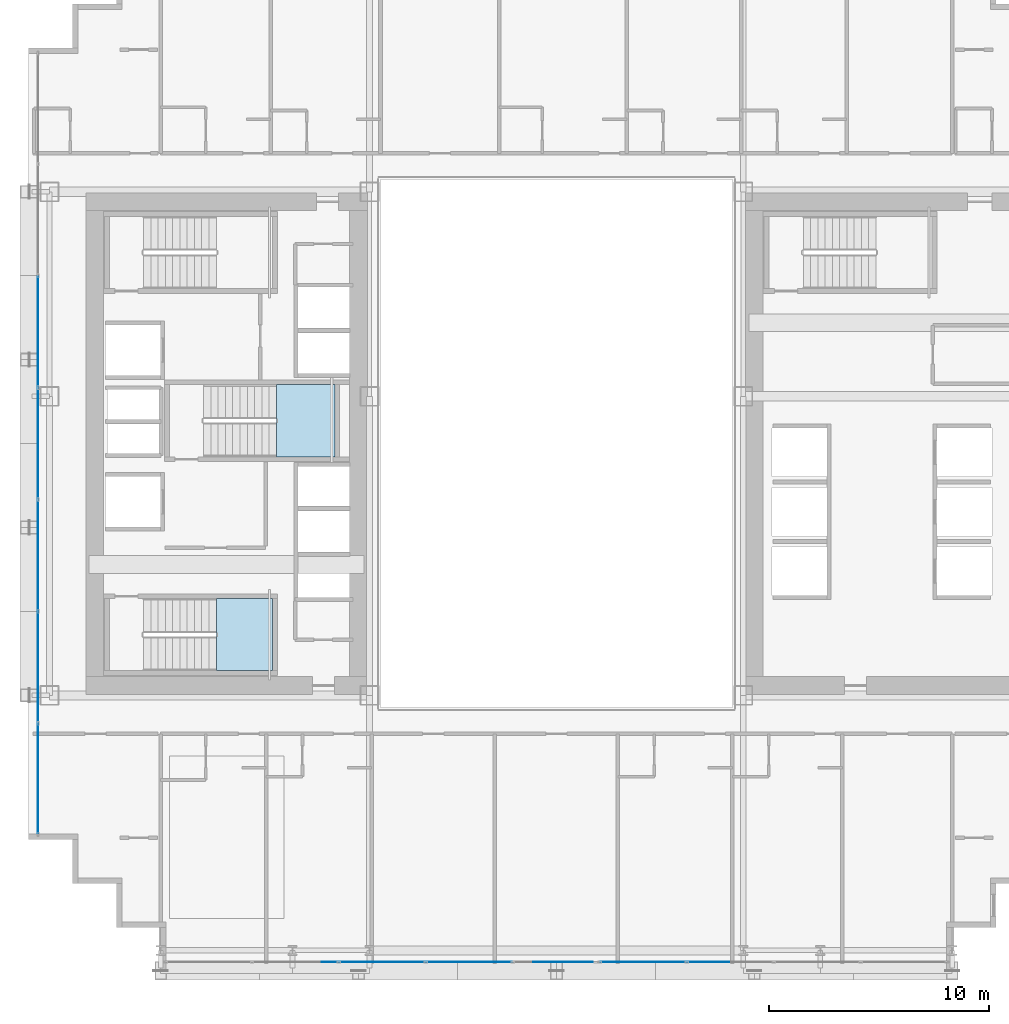
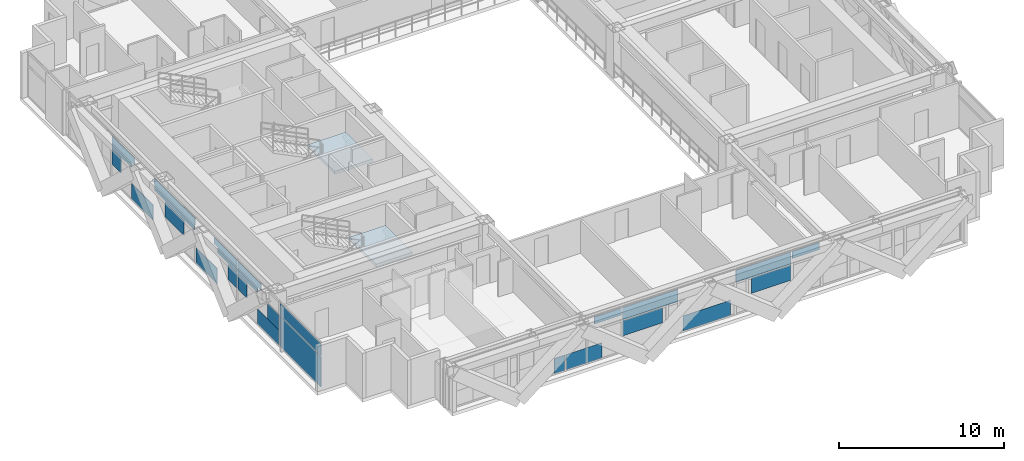
# One storey, part 24 of 38: 27 plates, 2 slabs, 4 elements without a shape of their own.
"""IFC4 building model written with IfcOpenShell, lengths in metres."""

from ifc_helpers import new_model, si_unit, direction, frame, origin, origin_2d, place, context, subcontext, project, spatial, polyline, rectangle, outline, extrude, source, transform, mapped, material, layer, layer_set, type_object, element, aggregate, save


model = new_model("IFC4")

# Units and contexts
model_context = context("Model", 3, precision=1e-05, world=origin(), true_north=direction((0.0, 1.0)))
body_context = subcontext(model_context, "Body", "Model", "MODEL_VIEW")
ifc_project = project(units=[si_unit("LENGTHUNIT", "METRE"), si_unit("AREAUNIT", "SQUARE_METRE"), si_unit("VOLUMEUNIT", "CUBIC_METRE"), si_unit("PLANEANGLEUNIT", "RADIAN"), si_unit("MASSUNIT", "GRAM", prefix="KILO")], contexts=[model_context])

# Site, building, storey
site_placement = place(None, origin())
site = spatial("IfcSite", under=ifc_project, at=site_placement, CompositionType="ELEMENT")
building_placement = place(site_placement, origin())
building = spatial("IfcBuilding", under=site, at=building_placement, Name="Ocotamira Hotel", CompositionType="ELEMENT")
storey_placement = place(building_placement, frame((0.0, 0.0, 74.39990234375)))
storey = spatial("IfcBuildingStorey", under=building, at=storey_placement, Name="L18", CompositionType="ELEMENT", Elevation=74.39990234375)

# Stair, slab
ifc_material_1 = material(Name="Concrete C40/50", Category="concrete")
stair_type = type_object("IfcStairType", Name="ST-CORE-1560", PredefinedType="HALF_TURN_STAIR", material=ifc_material_1)
stair_1_placement = place(storey_placement, origin())
stair_1 = element("IfcStair", 1, at=stair_1_placement, inside=storey, type_object=stair_type, Name="L18 Exit Stair ST-1", PredefinedType="HALF_TURN_STAIR")
ifc_layer_1 = layer(ifc_material_1, 0.199951171875)
ifc_layer_set_1 = layer_set([ifc_layer_1], Name="Concrete C40/50")
slab_type = type_object("IfcSlabType", Name="SLB-LAND-200", PredefinedType="LANDING", material=ifc_layer_set_1)
slab_1_placement = place(storey_placement, frame((0.0, 0.0, 1.60009765625)))
slab_1 = element("IfcSlab", 2, at=slab_1_placement, type_object=slab_type, Name="ST-1 landing 1", PredefinedType="LANDING", context=body_context, shape_type="SweptSolid", body=[
    extrude(outline(polyline([(16.530029296875, 15.669921875), (19.090087890625, 15.669921875), (19.090087890625, 18.949951171875), (16.530029296875, 18.949951171875), (16.530029296875, 15.669921875)])), origin(), (0.0, 0.0, 1.0), 0.199951171875),
])
aggregate(stair_1, [slab_1])

stair_2_placement = place(storey_placement, origin())
stair_2 = element("IfcStair", 3, at=stair_2_placement, inside=storey, type_object=stair_type, Name="L18 Exit Stair ST-3", PredefinedType="HALF_TURN_STAIR")
slab_2_placement = place(storey_placement, frame((0.0, 0.0, 1.60009765625)))
slab_2 = element("IfcSlab", 4, at=slab_2_placement, type_object=slab_type, Name="ST-3 landing 1", PredefinedType="LANDING", context=body_context, shape_type="SweptSolid", body=[
    extrude(outline(polyline([(19.260009765625, 25.39990234375), (21.919921875, 25.39990234375), (21.919921875, 28.679931640625), (19.260009765625, 28.679931640625), (19.260009765625, 25.39990234375)])), origin(), (0.0, 0.0, 1.0), 0.199951171875),
])
aggregate(stair_2, [slab_2])

# Curtain wall, plates
ifc_material_2 = material(Name="Anodised pale-metal aluminium and solar glass", Category="aluminium")
ifc_layer_2 = layer(ifc_material_2, 0.179931640625)
ifc_layer_set_2 = layer_set([ifc_layer_2], Name="Anodised pale-metal aluminium and solar glass")
curtain_wall_type = type_object("IfcCurtainWallType", Name="CW-SYS2-Z1", PredefinedType="NOTDEFINED", material=ifc_layer_set_2)
curtain_wall_1_placement = place(storey_placement, origin())
curtain_wall_1 = element("IfcCurtainWall", 5, at=curtain_wall_1_placement, inside=storey, type_object=curtain_wall_type, Name="L18 Curtain Wall CW-2 CW-L18-S1", PredefinedType="NOTDEFINED")
ifc_material_3 = material(Name="Double-silver low-E insulated solar glass", Category="glass")
ifc_layer_3 = layer(ifc_material_3, 0.031982421875)
ifc_layer_set_3 = layer_set([ifc_layer_3], Name="Double-silver low-E insulated solar glass")
plate_type = type_object("IfcPlateType", Name="CWP-VISION-32", PredefinedType="CURTAIN_PANEL", material=ifc_layer_set_3)
shared_shape_1 = source(origin(), body_context, "Body", "SweptSolid", [
    extrude(rectangle(XDim=3.87548828125, YDim=0.031982421875, at=origin_2d()), origin(), (0.0, 0.0, 1.0), 0.887451171875),
])
plate_1_placement = place(storey_placement, frame((28.04443359375, 2.419921875, 2.3876953125), z_axis=(0.0, 0.0, 1.0), x_axis=(1.0, 0.0, 0.0)))
plate_1 = element("IfcPlate", 6, at=plate_1_placement, type_object=plate_type, Name="CW-2 panel 4.2", PredefinedType="CURTAIN_PANEL", context=body_context, shape_type="MappedRepresentation", body=[
    mapped(shared_shape_1, transform((0.0, 0.0, 0.0), scale=1.0)),
])
plate_2_placement = place(storey_placement, frame((35.95556640625, 2.419921875, 2.3876953125), z_axis=(0.0, 0.0, 1.0), x_axis=(1.0, 0.0, 0.0)))
plate_2 = element("IfcPlate", 7, at=plate_2_placement, type_object=plate_type, Name="CW-2 panel 6.2", PredefinedType="CURTAIN_PANEL", context=body_context, shape_type="MappedRepresentation", body=[
    mapped(shared_shape_1, transform((0.0, 0.0, 0.0), scale=1.0)),
])

curtain_wall_2_placement = place(storey_placement, origin())
curtain_wall_2 = element("IfcCurtainWall", 8, at=curtain_wall_2_placement, inside=storey, type_object=curtain_wall_type, Name="L18 Curtain Wall CW-2 CW-L18-W", PredefinedType="NOTDEFINED")
shared_shape_2 = source(origin(), body_context, "Body", "SweptSolid", [
    extrude(rectangle(XDim=4.9658203125, YDim=0.031982421875, at=origin_2d()), origin(), (0.0, 0.0, 1.0), 2.237548828125),
])
plate_3_placement = place(storey_placement, frame((8.419921875, 10.762939453125, 0.0751953125), z_axis=(0.0, 0.0, 1.0), x_axis=(0.0, 1.0, 0.0)))
plate_3 = element("IfcPlate", 9, at=plate_3_placement, type_object=plate_type, Name="CW-2 panel 1.1", PredefinedType="CURTAIN_PANEL", context=body_context, shape_type="MappedRepresentation", body=[
    mapped(shared_shape_2, transform((0.0, 0.0, 0.0), scale=1.0)),
])
shared_shape_3 = source(origin(), body_context, "Body", "SweptSolid", [
    extrude(rectangle(XDim=4.9658203125, YDim=0.031982421875, at=origin_2d()), origin(), (0.0, 0.0, 1.0), 0.887451171875),
])
plate_4_placement = place(storey_placement, frame((8.419921875, 10.762939453125, 2.3876953125), z_axis=(0.0, 0.0, 1.0), x_axis=(0.0, 1.0, 0.0)))
plate_4 = element("IfcPlate", 10, at=plate_4_placement, type_object=plate_type, Name="CW-2 panel 1.2", PredefinedType="CURTAIN_PANEL", context=body_context, shape_type="MappedRepresentation", body=[
    mapped(shared_shape_3, transform((0.0, 0.0, 0.0), scale=1.0)),
])

# Plate
shared_shape_4 = source(origin(), body_context, "Body", "SweptSolid", [
    extrude(rectangle(XDim=1.88671875, YDim=0.031982421875, at=origin_2d()), origin(), (0.0, 0.0, 1.0), 0.5107421875),
])
plate_5_placement = place(storey_placement, frame((25.08349609375, 2.419921875, 2.764404296875), z_axis=(0.0, 0.0, 1.0), x_axis=(1.0, 0.0, 0.0)))
plate_5 = element("IfcPlate", 11, at=plate_5_placement, type_object=plate_type, Name="CW-2 panel 3.2.1", PredefinedType="CURTAIN_PANEL", context=body_context, shape_type="MappedRepresentation", body=[
    mapped(shared_shape_4, transform((0.0, 0.0, 0.0), scale=1.0)),
])

plate_6_placement = place(storey_placement, frame((38.91650390625, 2.419921875, 2.764404296875), z_axis=(0.0, 0.0, 1.0), x_axis=(1.0, 0.0, 0.0)))
plate_6 = element("IfcPlate", 12, at=plate_6_placement, type_object=plate_type, Name="CW-2 panel 7.2.1", PredefinedType="CURTAIN_PANEL", context=body_context, shape_type="MappedRepresentation", body=[
    mapped(shared_shape_4, transform((0.0, 0.0, 0.0), scale=1.0)),
])

shared_shape_5 = source(origin(), body_context, "Body", "SweptSolid", [
    extrude(rectangle(XDim=2.796630859375, YDim=0.031982421875, at=origin_2d()), origin(), (0.0, 0.0, 1.0), 0.485107421875),
])
plate_7_placement = place(storey_placement, frame((8.419921875, 16.93310546875, 2.7900390625), z_axis=(0.0, 0.0, 1.0), x_axis=(0.0, 1.0, 0.0)))
plate_7 = element("IfcPlate", 13, at=plate_7_placement, type_object=plate_type, Name="CW-2 panel 2.2.1", PredefinedType="CURTAIN_PANEL", context=body_context, shape_type="MappedRepresentation", body=[
    mapped(shared_shape_5, transform((0.0, 0.0, 0.0), scale=1.0)),
])

shared_shape_6 = source(origin(), body_context, "Body", "SweptSolid", [
    extrude(rectangle(XDim=2.3701171875, YDim=0.031982421875, at=origin_2d()), origin(), (0.0, 0.0, 1.0), 0.367919921875),
])
plate_8_placement = place(storey_placement, frame((8.419921875, 17.146240234375, 2.3876953125), z_axis=(0.0, 0.0, 1.0), x_axis=(0.0, 1.0, 0.0)))
plate_8 = element("IfcPlate", 14, at=plate_8_placement, type_object=plate_type, Name="CW-2 panel 2.2.2", PredefinedType="CURTAIN_PANEL", context=body_context, shape_type="MappedRepresentation", body=[
    mapped(shared_shape_6, transform((0.0, 0.0, 0.0), scale=1.0)),
])

shared_shape_7 = source(origin(), body_context, "Body", "SweptSolid", [
    extrude(rectangle(XDim=2.360595703125, YDim=0.031982421875, at=origin_2d()), origin(), (0.0, 0.0, 1.0), 0.367919921875),
])
plate_9_placement = place(storey_placement, frame((8.419921875, 19.591796875, 2.3876953125), z_axis=(0.0, 0.0, 1.0), x_axis=(0.0, 1.0, 0.0)))
plate_9 = element("IfcPlate", 15, at=plate_9_placement, type_object=plate_type, Name="CW-2 panel 3.2.1", PredefinedType="CURTAIN_PANEL", context=body_context, shape_type="MappedRepresentation", body=[
    mapped(shared_shape_7, transform((0.0, 0.0, 0.0), scale=1.0)),
])

plate_10_placement = place(storey_placement, frame((8.419921875, 32.408203125, 2.3876953125), z_axis=(0.0, 0.0, 1.0), x_axis=(0.0, 1.0, 0.0)))
plate_10 = element("IfcPlate", 16, at=plate_10_placement, type_object=plate_type, Name="CW-2 panel 5.2.2", PredefinedType="CURTAIN_PANEL", context=body_context, shape_type="MappedRepresentation", body=[
    mapped(shared_shape_7, transform((0.0, 0.0, 0.0), scale=1.0)),
])

shared_shape_8 = source(origin(), body_context, "Body", "SweptSolid", [
    extrude(rectangle(XDim=2.787109375, YDim=0.031982421875, at=origin_2d()), origin(), (0.0, 0.0, 1.0), 0.485107421875),
])
plate_11_placement = place(storey_placement, frame((8.419921875, 19.804931640625, 2.7900390625), z_axis=(0.0, 0.0, 1.0), x_axis=(0.0, 1.0, 0.0)))
plate_11 = element("IfcPlate", 17, at=plate_11_placement, type_object=plate_type, Name="CW-2 panel 3.2.2", PredefinedType="CURTAIN_PANEL", context=body_context, shape_type="MappedRepresentation", body=[
    mapped(shared_shape_8, transform((0.0, 0.0, 0.0), scale=1.0)),
])

plate_12_placement = place(storey_placement, frame((8.419921875, 32.195068359375, 2.7900390625), z_axis=(0.0, 0.0, 1.0), x_axis=(0.0, 1.0, 0.0)))
plate_12 = element("IfcPlate", 18, at=plate_12_placement, type_object=plate_type, Name="CW-2 panel 5.2.1", PredefinedType="CURTAIN_PANEL", context=body_context, shape_type="MappedRepresentation", body=[
    mapped(shared_shape_8, transform((0.0, 0.0, 0.0), scale=1.0)),
])

shared_shape_9 = source(origin(), body_context, "Body", "SweptSolid", [
    extrude(rectangle(XDim=5.005615234375, YDim=0.031982421875, at=origin_2d()), origin(), (0.0, 0.0, 1.0), 0.485107421875),
])
plate_13_placement = place(storey_placement, frame((8.419921875, 26.0, 2.7900390625), z_axis=(0.0, 0.0, 1.0), x_axis=(0.0, 1.0, 0.0)))
plate_13 = element("IfcPlate", 19, at=plate_13_placement, type_object=plate_type, Name="CW-2 panel 4.2.1", PredefinedType="CURTAIN_PANEL", context=body_context, shape_type="MappedRepresentation", body=[
    mapped(shared_shape_9, transform((0.0, 0.0, 0.0), scale=1.0)),
])

shared_shape_10 = source(origin(), body_context, "Body", "SweptSolid", [
    extrude(rectangle(XDim=4.81103515625, YDim=0.031982421875, at=origin_2d()), origin(), (0.0, 0.0, 1.0), 0.40234375),
])
plate_14_placement = place(storey_placement, frame((8.419921875, 26.0, 2.387451171875), z_axis=(0.0, 0.0, 1.0), x_axis=(0.0, 1.0, 0.0)))
plate_14 = element("IfcPlate", 20, at=plate_14_placement, type_object=plate_type, Name="CW-2 panel 4.2.2", PredefinedType="CURTAIN_PANEL", context=body_context, shape_type="MappedRepresentation", body=[
    mapped(shared_shape_10, transform((0.0, 0.0, 0.0), scale=1.0)),
])

shared_shape_11 = source(origin(), body_context, "Body", "SweptSolid", [
    extrude(rectangle(XDim=0.733642578125, YDim=0.031982421875, at=origin_2d()), origin(), (0.0, 0.0, 1.0), 1.118896484375),
])
plate_15_placement = place(storey_placement, frame((21.704345703125, 2.419921875, 0.0751953125), z_axis=(0.0, 0.0, 1.0), x_axis=(1.0, 0.0, 0.0)))
plate_15 = element("IfcPlate", 21, at=plate_15_placement, type_object=plate_type, Name="CW-2 panel 2.1.2", PredefinedType="CURTAIN_PANEL", context=body_context, shape_type="MappedRepresentation", body=[
    mapped(shared_shape_11, transform((0.0, 0.0, 0.0), scale=1.0)),
])

shared_shape_12 = source(origin(), body_context, "Body", "SweptSolid", [
    extrude(rectangle(XDim=2.51123046875, YDim=0.031982421875, at=origin_2d()), origin(), (0.0, 0.0, 1.0), 1.118896484375),
])
plate_16_placement = place(storey_placement, frame((23.40673828125, 2.419921875, 0.0751953125), z_axis=(0.0, 0.0, 1.0), x_axis=(1.0, 0.0, 0.0)))
plate_16 = element("IfcPlate", 22, at=plate_16_placement, type_object=plate_type, Name="CW-2 panel 3.1.1", PredefinedType="CURTAIN_PANEL", context=body_context, shape_type="MappedRepresentation", body=[
    mapped(shared_shape_12, transform((0.0, 0.0, 0.0), scale=1.0)),
])

shared_shape_13 = source(origin(), body_context, "Body", "SweptSolid", [
    extrude(rectangle(XDim=3.324951171875, YDim=0.031982421875, at=origin_2d()), origin(), (0.0, 0.0, 1.0), 1.118896484375),
])
plate_17_placement = place(storey_placement, frame((32.0, 2.419921875, 0.0751953125), z_axis=(0.0, 0.0, 1.0), x_axis=(1.0, 0.0, 0.0)))
plate_17 = element("IfcPlate", 23, at=plate_17_placement, type_object=plate_type, Name="CW-2 panel 5.1.1", PredefinedType="CURTAIN_PANEL", context=body_context, shape_type="MappedRepresentation", body=[
    mapped(shared_shape_13, transform((0.0, 0.0, 0.0), scale=1.0)),
])

shared_shape_14 = source(origin(), body_context, "Body", "SweptSolid", [
    extrude(rectangle(XDim=2.58935546875, YDim=0.031982421875, at=origin_2d()), origin(), (0.0, 0.0, 1.0), 1.118896484375),
])
plate_18_placement = place(storey_placement, frame((8.419921875, 14.620361328125, 0.0751953125), z_axis=(0.0, 0.0, 1.0), x_axis=(0.0, 1.0, 0.0)))
plate_18 = element("IfcPlate", 24, at=plate_18_placement, type_object=plate_type, Name="CW-2 panel 2.1.1", PredefinedType="CURTAIN_PANEL", context=body_context, shape_type="MappedRepresentation", body=[
    mapped(shared_shape_14, transform((0.0, 0.0, 0.0), scale=1.0)),
])

shared_shape_15 = source(origin(), body_context, "Body", "SweptSolid", [
    extrude(rectangle(XDim=2.59912109375, YDim=0.031982421875, at=origin_2d()), origin(), (0.0, 0.0, 1.0), 1.118896484375),
])
plate_19_placement = place(storey_placement, frame((8.419921875, 22.11767578125, 0.0751953125), z_axis=(0.0, 0.0, 1.0), x_axis=(0.0, 1.0, 0.0)))
plate_19 = element("IfcPlate", 25, at=plate_19_placement, type_object=plate_type, Name="CW-2 panel 3.1.2", PredefinedType="CURTAIN_PANEL", context=body_context, shape_type="MappedRepresentation", body=[
    mapped(shared_shape_15, transform((0.0, 0.0, 0.0), scale=1.0)),
])

plate_20_placement = place(storey_placement, frame((8.419921875, 29.88232421875, 0.0751953125), z_axis=(0.0, 0.0, 1.0), x_axis=(0.0, 1.0, 0.0)))
plate_20 = element("IfcPlate", 26, at=plate_20_placement, type_object=plate_type, Name="CW-2 panel 5.1.1", PredefinedType="CURTAIN_PANEL", context=body_context, shape_type="MappedRepresentation", body=[
    mapped(shared_shape_15, transform((0.0, 0.0, 0.0), scale=1.0)),
])

shared_shape_16 = source(origin(), body_context, "Body", "SweptSolid", [
    extrude(rectangle(XDim=2.27978515625, YDim=0.031982421875, at=origin_2d()), origin(), (0.0, 0.0, 1.0), 1.118896484375),
])
plate_21_placement = place(storey_placement, frame((8.419921875, 26.0, 1.19384765625), z_axis=(0.0, 0.0, 1.0), x_axis=(0.0, 1.0, 0.0)))
plate_21 = element("IfcPlate", 27, at=plate_21_placement, type_object=plate_type, Name="CW-2 panel 4.1.1", PredefinedType="CURTAIN_PANEL", context=body_context, shape_type="MappedRepresentation", body=[
    mapped(shared_shape_16, transform((0.0, 0.0, 0.0), scale=1.0)),
])

shared_shape_17 = source(origin(), body_context, "Body", "SweptSolid", [
    extrude(rectangle(XDim=2.790283203125, YDim=0.031982421875, at=origin_2d()), origin(), (0.0, 0.0, 1.0), 1.118896484375),
])
plate_22_placement = place(storey_placement, frame((27.501708984375, 2.419921875, 1.19384765625), z_axis=(0.0, 0.0, 1.0), x_axis=(1.0, 0.0, 0.0)))
plate_22 = element("IfcPlate", 28, at=plate_22_placement, type_object=plate_type, Name="CW-2 panel 4.1.1", PredefinedType="CURTAIN_PANEL", context=body_context, shape_type="MappedRepresentation", body=[
    mapped(shared_shape_17, transform((0.0, 0.0, 0.0), scale=1.0)),
])

plate_23_placement = place(storey_placement, frame((36.498291015625, 2.419921875, 1.19384765625), z_axis=(0.0, 0.0, 1.0), x_axis=(1.0, 0.0, 0.0)))
plate_23 = element("IfcPlate", 29, at=plate_23_placement, type_object=plate_type, Name="CW-2 panel 6.1.1", PredefinedType="CURTAIN_PANEL", context=body_context, shape_type="MappedRepresentation", body=[
    mapped(shared_shape_17, transform((0.0, 0.0, 0.0), scale=1.0)),
])

aggregate(curtain_wall_1, [plate_15, plate_16, plate_5, plate_22, plate_1, plate_17, plate_23, plate_2, plate_6])

shared_shape_18 = source(origin(), body_context, "Body", "SweptSolid", [
    extrude(rectangle(XDim=1.4033203125, YDim=0.031982421875, at=origin_2d()), origin(), (0.0, 0.0, 1.0), 1.118896484375),
])
plate_24_placement = place(storey_placement, frame((8.419921875, 14.02734375, 1.19384765625), z_axis=(0.0, 0.0, 1.0), x_axis=(0.0, 1.0, 0.0)))
plate_24 = element("IfcPlate", 30, at=plate_24_placement, type_object=plate_type, Name="CW-2 panel 2.1.2", PredefinedType="CURTAIN_PANEL", context=body_context, shape_type="MappedRepresentation", body=[
    mapped(shared_shape_18, transform((0.0, 0.0, 0.0), scale=1.0)),
])

shared_shape_19 = source(origin(), body_context, "Body", "SweptSolid", [
    extrude(rectangle(XDim=1.104736328125, YDim=0.031982421875, at=origin_2d()), origin(), (0.0, 0.0, 1.0), 1.118896484375),
])
plate_25_placement = place(storey_placement, frame((8.419921875, 17.779052734375, 1.19384765625), z_axis=(0.0, 0.0, 1.0), x_axis=(0.0, 1.0, 0.0)))
plate_25 = element("IfcPlate", 31, at=plate_25_placement, type_object=plate_type, Name="CW-2 panel 2.1.3", PredefinedType="CURTAIN_PANEL", context=body_context, shape_type="MappedRepresentation", body=[
    mapped(shared_shape_19, transform((0.0, 0.0, 0.0), scale=1.0)),
])

shared_shape_20 = source(origin(), body_context, "Body", "SweptSolid", [
    extrude(rectangle(XDim=1.094970703125, YDim=0.031982421875, at=origin_2d()), origin(), (0.0, 0.0, 1.0), 1.118896484375),
])
plate_26_placement = place(storey_placement, frame((8.419921875, 18.958984375, 1.19384765625), z_axis=(0.0, 0.0, 1.0), x_axis=(0.0, 1.0, 0.0)))
plate_26 = element("IfcPlate", 32, at=plate_26_placement, type_object=plate_type, Name="CW-2 panel 3.1.1", PredefinedType="CURTAIN_PANEL", context=body_context, shape_type="MappedRepresentation", body=[
    mapped(shared_shape_20, transform((0.0, 0.0, 0.0), scale=1.0)),
])

plate_27_placement = place(storey_placement, frame((8.419921875, 33.041015625, 1.19384765625), z_axis=(0.0, 0.0, 1.0), x_axis=(0.0, 1.0, 0.0)))
plate_27 = element("IfcPlate", 33, at=plate_27_placement, type_object=plate_type, Name="CW-2 panel 5.1.2", PredefinedType="CURTAIN_PANEL", context=body_context, shape_type="MappedRepresentation", body=[
    mapped(shared_shape_20, transform((0.0, 0.0, 0.0), scale=1.0)),
])

aggregate(curtain_wall_2, [plate_3, plate_4, plate_18, plate_24, plate_25, plate_7, plate_8, plate_26, plate_19, plate_9, plate_11, plate_21, plate_13, plate_14, plate_20, plate_27, plate_12, plate_10])

save(model, "model.ifc")
